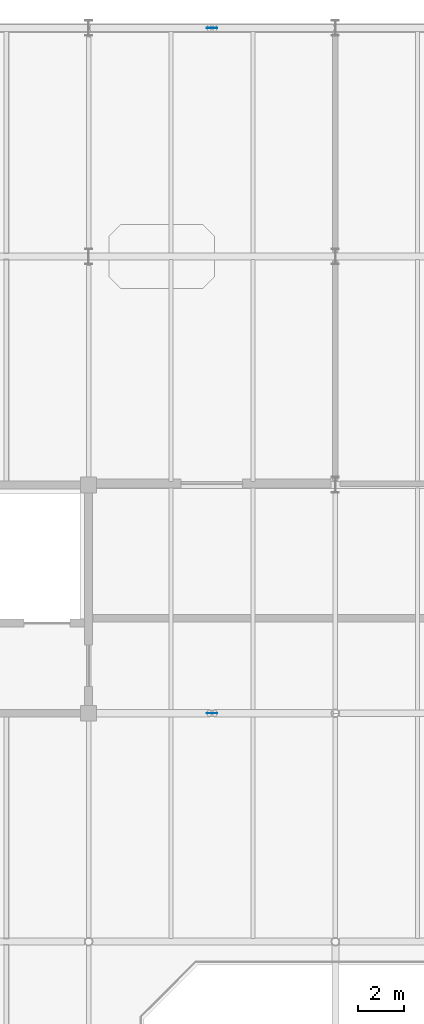
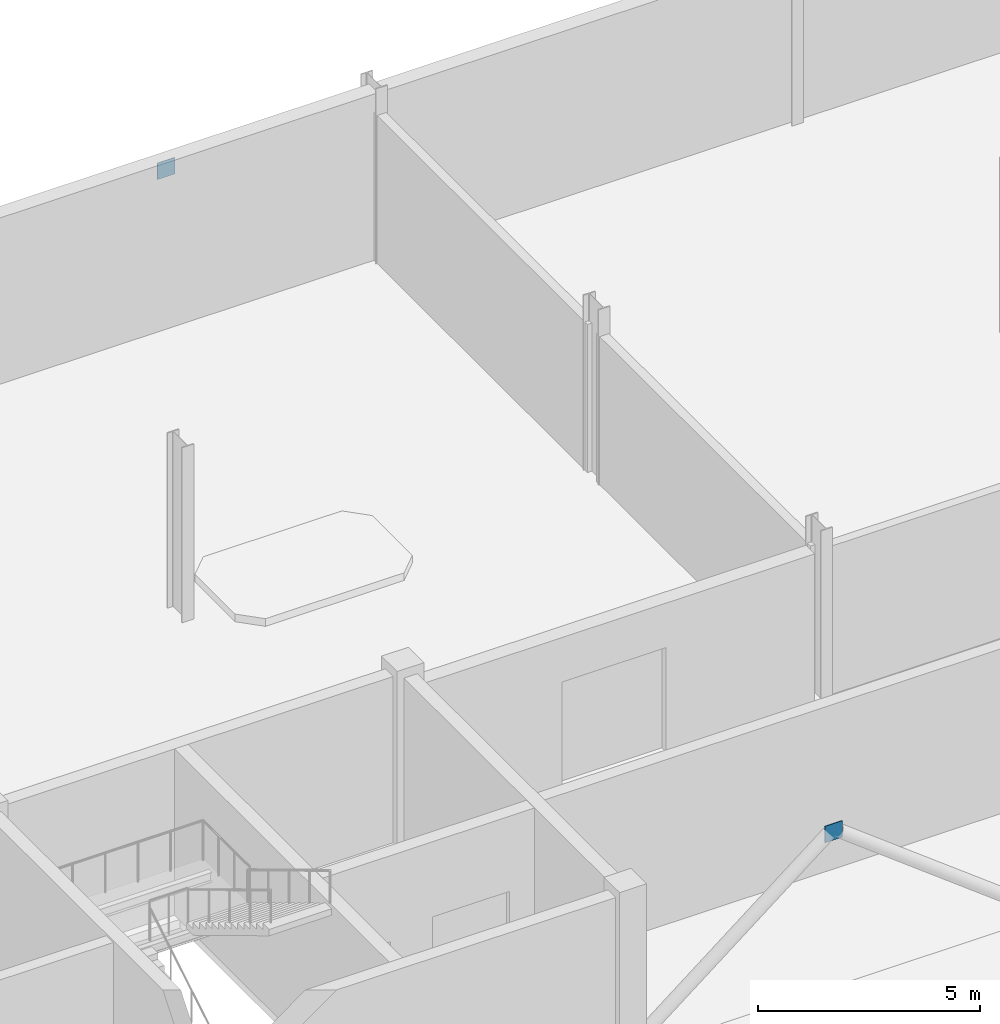
# One storey, part 73 of 92: 2 plates.
"""IFC4 building model written with IfcOpenShell, lengths in metres."""

from ifc_helpers import new_model, si_unit, direction, frame, origin, origin_2d, place, context, subcontext, project, spatial, rectangle, extrude, material, layer, layer_set, type_object, element, save


model = new_model("IFC4")

# Units and contexts
model_context = context("Model", 3, precision=1e-05, world=origin(), true_north=direction((0.0, 1.0)))
body_context = subcontext(model_context, "Body", "Model", "MODEL_VIEW")
ifc_project = project(units=[si_unit("LENGTHUNIT", "METRE"), si_unit("AREAUNIT", "SQUARE_METRE"), si_unit("VOLUMEUNIT", "CUBIC_METRE"), si_unit("PLANEANGLEUNIT", "RADIAN"), si_unit("MASSUNIT", "GRAM", prefix="KILO")], contexts=[model_context])

# Site, building, storey
site_placement = place(None, origin())
site = spatial("IfcSite", under=ifc_project, at=site_placement, CompositionType="ELEMENT")
building_placement = place(site_placement, origin())
building = spatial("IfcBuilding", under=site, at=building_placement, Name="Tasgan Crest Museum", CompositionType="ELEMENT")
storey_placement = place(building_placement, frame((0.0, 0.0, 4.800048828125)))
storey = spatial("IfcBuildingStorey", under=building, at=storey_placement, Name="L01", CompositionType="ELEMENT", Elevation=4.800048828125)

# Plates
ifc_material = material(Name="Steel S355K2", Category="steel")
ifc_layer = layer(ifc_material, 0.02001953125, Name="PL-GUSSET-450")
ifc_layer_set = layer_set([ifc_layer], Name="Steel S355K2")
plate_type = type_object("IfcPlateType", Name="PL-GUSSET-450", PredefinedType="USERDEFINED", material=ifc_layer_set)
for number, where, z_axis, x_axis, name in (
    (1, (70.199951171875, 112.0, 4.02490234375), (0.0, 0.0, 1.0), (1.0, 0.0, 0.0), "Chevron gusset plate L01 M 70.2"),
    (2, (70.199951171875, 82.0, 4.02490234375), (0.0, 0.0, 1.0), (1.0, 0.0, 0.0), "Chevron gusset plate L01 J 70.2"),
):
    element("IfcPlate", number, at=place(storey_placement, frame(where, z_axis=z_axis, x_axis=x_axis)), inside=storey, type_object=plate_type, Name=name, ObjectType="GUSSET PLATE", PredefinedType="USERDEFINED", context=body_context, shape_type="SweptSolid", body=[
        extrude(rectangle(XDim=0.449951171875, YDim=0.02001953125, at=origin_2d()), origin(), (0.0, 0.0, 1.0), 0.449951171875),
    ])

save(model, "model.ifc")
